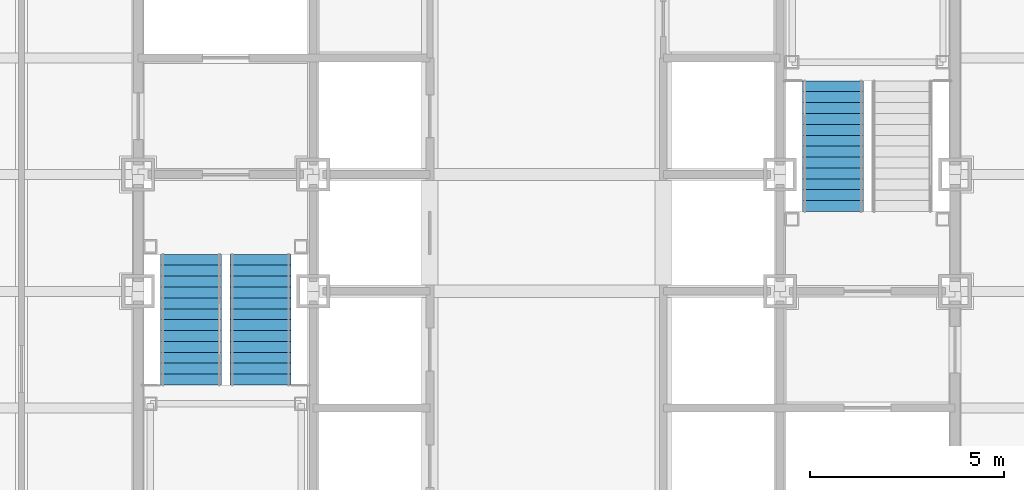
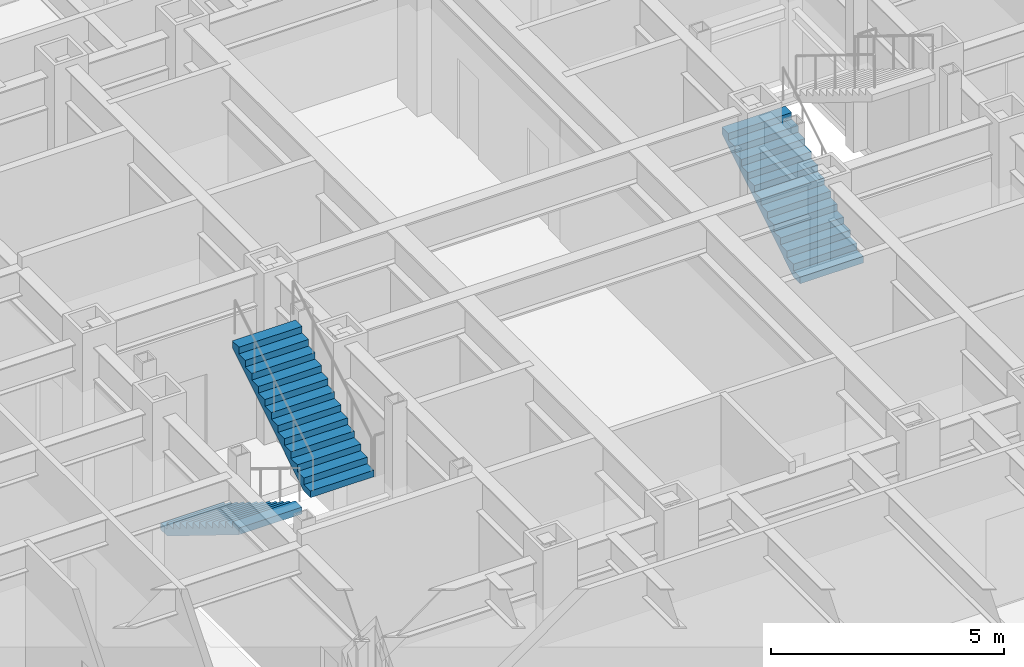
# One storey, part 12 of 16: 3 stair flights, 2 elements without a shape of their own.
"""IFC4 building model written with IfcOpenShell, lengths in metres."""

from ifc_helpers import new_model, si_unit, direction, frame, origin, place, context, subcontext, project, spatial, faceted_brep, material, type_object, element, aggregate, save


model = new_model("IFC4")

# Units and contexts
model_context = context("Model", 3, precision=1e-05, world=origin(), true_north=direction((0.0, 1.0)))
body_context = subcontext(model_context, "Body", "Model", "MODEL_VIEW")
ifc_project = project(units=[si_unit("LENGTHUNIT", "METRE"), si_unit("AREAUNIT", "SQUARE_METRE"), si_unit("VOLUMEUNIT", "CUBIC_METRE"), si_unit("PLANEANGLEUNIT", "RADIAN"), si_unit("MASSUNIT", "GRAM", prefix="KILO")], contexts=[model_context])

# Site, building, storey
site_placement = place(None, origin())
site = spatial("IfcSite", under=ifc_project, at=site_placement, CompositionType="ELEMENT")
building_placement = place(site_placement, origin())
building = spatial("IfcBuilding", under=site, at=building_placement, Name="Chuquiago Exchange Tower", CompositionType="ELEMENT")
storey_placement = place(building_placement, frame((0.0, 0.0, 78.300048828125)))
storey = spatial("IfcBuildingStorey", under=building, at=storey_placement, Name="L16", CompositionType="ELEMENT", Elevation=78.300048828125)

# Stair, stair flights
ifc_material_1 = material(Name="Concrete C30/37, precast", Category="concrete")
stair_type_1 = type_object("IfcStairType", Name="ST1 half-turn stair 4500", PredefinedType="HALF_TURN_STAIR", material=ifc_material_1)
stair_1_placement = place(storey_placement, origin())
stair_1 = element("IfcStair", 1, at=stair_1_placement, inside=storey, type_object=stair_type_1, Name="Stair ST1 L16", PredefinedType="HALF_TURN_STAIR")
ifc_material_2 = material(Name="Concrete C30/37, precast", Category="concrete")
stair_flight_type = type_object("IfcStairFlightType", Name="ST-F flight 1570 for 4500 storey", PredefinedType="STRAIGHT", material=ifc_material_2)
stair_flight_1_placement = place(storey_placement, frame((13.360107421875, 21.949951171875, 0.0), z_axis=(0.0, 0.0, 1.0), x_axis=(0.0, -1.0, 0.0)))
stair_flight_1 = element("IfcStairFlight", 2, at=stair_flight_1_placement, type_object=stair_flight_type, Name="ST1 flight 1", NumberOfRisers=13, NumberOfTreads=12, PredefinedType="STRAIGHT", RiserHeight=0.173076923, TreadLength=0.28, context=body_context, shape_type="Brep", body=[
    faceted_brep([(0.0, 0.78515625, 0.0), (0.0, 0.78515625, 0.173095703125), (0.280029296875, 0.78515625, 0.173095703125), (0.280029296875, 0.78515625, 0.34619140625), (0.56005859375, 0.78515625, 0.34619140625), (0.56005859375, 0.78515625, 0.519287109375), (0.840087890625, 0.78515625, 0.519287109375), (0.840087890625, 0.78515625, 0.6923828125), (1.1201171875, 0.78515625, 0.6923828125), (1.1201171875, 0.78515625, 0.865478515625), (1.39990234375, 0.78515625, 0.865478515625), (1.39990234375, 0.78515625, 1.03857421875), (1.679931640625, 0.78515625, 1.03857421875), (1.679931640625, 0.78515625, 1.21142578125), (1.9599609375, 0.78515625, 1.21142578125), (1.9599609375, 0.78515625, 1.384521484375), (2.239990234375, 0.78515625, 1.384521484375), (2.239990234375, 0.78515625, 1.5576171875), (2.52001953125, 0.78515625, 1.5576171875), (2.52001953125, 0.78515625, 1.730712890625), (2.800048828125, 0.78515625, 1.730712890625), (2.800048828125, 0.78515625, 1.90380859375), (3.080078125, 0.78515625, 1.90380859375), (3.080078125, 0.78515625, 2.076904296875), (3.360107421875, 0.78515625, 2.076904296875), (3.360107421875, 0.78515625, 1.900634765625), (0.28515625, 0.78515625, 0.0), (0.28515625, -0.78515625, 0.0), (3.360107421875, -0.78515625, 1.900634765625), (3.360107421875, -0.78515625, 2.076904296875), (3.080078125, -0.78515625, 2.076904296875), (3.080078125, -0.78515625, 1.90380859375), (2.800048828125, -0.78515625, 1.90380859375), (2.800048828125, -0.78515625, 1.730712890625), (2.52001953125, -0.78515625, 1.730712890625), (2.52001953125, -0.78515625, 1.5576171875), (2.239990234375, -0.78515625, 1.5576171875), (2.239990234375, -0.78515625, 1.384521484375), (1.9599609375, -0.78515625, 1.384521484375), (1.9599609375, -0.78515625, 1.21142578125), (1.679931640625, -0.78515625, 1.21142578125), (1.679931640625, -0.78515625, 1.03857421875), (1.39990234375, -0.78515625, 1.03857421875), (1.39990234375, -0.78515625, 0.865478515625), (1.1201171875, -0.78515625, 0.865478515625), (1.1201171875, -0.78515625, 0.6923828125), (0.840087890625, -0.78515625, 0.6923828125), (0.840087890625, -0.78515625, 0.519287109375), (0.56005859375, -0.78515625, 0.519287109375), (0.56005859375, -0.78515625, 0.34619140625), (0.280029296875, -0.78515625, 0.34619140625), (0.280029296875, -0.78515625, 0.173095703125), (0.0, -0.78515625, 0.173095703125), (0.0, -0.78515625, 0.0), (0.0, 0.392578125, 0.0), (0.0, 0.392578125, 0.173095703125), (0.0, 0.0, 0.0), (0.0, 0.0, 0.173095703125), (0.0, -0.392578125, 0.0), (0.0, -0.392578125, 0.173095703125), (0.280029296875, 0.392578125, 0.173095703125), (0.280029296875, 0.0, 0.173095703125), (0.280029296875, -0.392578125, 0.173095703125), (0.280029296875, 0.392578125, 0.34619140625), (0.280029296875, 0.0, 0.34619140625), (0.280029296875, -0.392578125, 0.34619140625), (0.56005859375, 0.392578125, 0.34619140625), (0.56005859375, 0.0, 0.34619140625), (0.56005859375, -0.392578125, 0.34619140625), (0.56005859375, 0.392578125, 0.519287109375), (0.56005859375, 0.0, 0.519287109375), (0.56005859375, -0.392578125, 0.519287109375), (0.840087890625, 0.392578125, 0.519287109375), (0.840087890625, 0.0, 0.519287109375), (0.840087890625, -0.392578125, 0.519287109375), (0.840087890625, 0.392578125, 0.6923828125), (0.840087890625, 0.0, 0.6923828125), (0.840087890625, -0.392578125, 0.6923828125), (1.1201171875, 0.392578125, 0.6923828125), (1.1201171875, 0.0, 0.6923828125), (1.1201171875, -0.392578125, 0.6923828125), (1.1201171875, 0.392578125, 0.865478515625), (1.1201171875, 0.0, 0.865478515625), (1.1201171875, -0.392578125, 0.865478515625), (1.39990234375, 0.392578125, 0.865478515625), (1.39990234375, 0.0, 0.865478515625), (1.39990234375, -0.392578125, 0.865478515625), (1.39990234375, 0.392578125, 1.03857421875), (1.39990234375, 0.0, 1.03857421875), (1.39990234375, -0.392578125, 1.03857421875), (1.679931640625, 0.392578125, 1.03857421875), (1.679931640625, 0.0, 1.03857421875), (1.679931640625, -0.392578125, 1.03857421875), (1.679931640625, 0.392578125, 1.21142578125), (1.679931640625, 0.0, 1.21142578125), (1.679931640625, -0.392578125, 1.21142578125), (1.9599609375, 0.392578125, 1.21142578125), (1.9599609375, 0.0, 1.21142578125), (1.9599609375, -0.392578125, 1.21142578125), (1.9599609375, 0.392578125, 1.384521484375), (1.9599609375, 0.0, 1.384521484375), (1.9599609375, -0.392578125, 1.384521484375), (2.239990234375, 0.392578125, 1.384521484375), (2.239990234375, 0.0, 1.384521484375), (2.239990234375, -0.392578125, 1.384521484375), (2.239990234375, 0.392578125, 1.5576171875), (2.239990234375, 0.0, 1.5576171875), (2.239990234375, -0.392578125, 1.5576171875), (2.52001953125, 0.392578125, 1.5576171875), (2.52001953125, 0.0, 1.5576171875), (2.52001953125, -0.392578125, 1.5576171875), (2.52001953125, 0.392578125, 1.730712890625), (2.52001953125, 0.0, 1.730712890625), (2.52001953125, -0.392578125, 1.730712890625), (2.800048828125, 0.392578125, 1.730712890625), (2.800048828125, 0.0, 1.730712890625), (2.800048828125, -0.392578125, 1.730712890625), (2.800048828125, 0.392578125, 1.90380859375), (2.800048828125, 0.0, 1.90380859375), (2.800048828125, -0.392578125, 1.90380859375), (3.080078125, 0.392578125, 1.90380859375), (3.080078125, 0.0, 1.90380859375), (3.080078125, -0.392578125, 1.90380859375), (3.080078125, 0.392578125, 2.076904296875), (3.080078125, 0.0, 2.076904296875), (3.080078125, -0.392578125, 2.076904296875), (3.360107421875, 0.392578125, 2.076904296875), (3.360107421875, 0.0, 2.076904296875), (3.360107421875, -0.392578125, 2.076904296875), (3.360107421875, 0.392578125, 1.900634765625), (3.360107421875, 0.0, 1.900634765625), (3.360107421875, -0.392578125, 1.900634765625), (0.28515625, 0.392578125, 0.0), (0.28515625, 0.0, 0.0), (0.28515625, -0.392578125, 0.0)], [[[0, 1, 2, 3, 4, 5, 6, 7, 8, 9, 10, 11, 12, 13, 14, 15, 16, 17, 18, 19, 20, 21, 22, 23, 24, 25, 26]], [[27, 28, 29, 30, 31, 32, 33, 34, 35, 36, 37, 38, 39, 40, 41, 42, 43, 44, 45, 46, 47, 48, 49, 50, 51, 52, 53]], [[1, 0, 54, 55]], [[55, 54, 56, 57]], [[57, 56, 58, 59]], [[59, 58, 53, 52]], [[2, 1, 55, 60]], [[60, 55, 57, 61]], [[61, 57, 59, 62]], [[62, 59, 52, 51]], [[3, 2, 60, 63]], [[63, 60, 61, 64]], [[64, 61, 62, 65]], [[65, 62, 51, 50]], [[4, 3, 63, 66]], [[66, 63, 64, 67]], [[67, 64, 65, 68]], [[68, 65, 50, 49]], [[5, 4, 66, 69]], [[69, 66, 67, 70]], [[70, 67, 68, 71]], [[71, 68, 49, 48]], [[6, 5, 69, 72]], [[72, 69, 70, 73]], [[73, 70, 71, 74]], [[74, 71, 48, 47]], [[7, 6, 72, 75]], [[75, 72, 73, 76]], [[76, 73, 74, 77]], [[77, 74, 47, 46]], [[8, 7, 75, 78]], [[78, 75, 76, 79]], [[79, 76, 77, 80]], [[80, 77, 46, 45]], [[9, 8, 78, 81]], [[81, 78, 79, 82]], [[82, 79, 80, 83]], [[83, 80, 45, 44]], [[10, 9, 81, 84]], [[84, 81, 82, 85]], [[85, 82, 83, 86]], [[86, 83, 44, 43]], [[11, 10, 84, 87]], [[87, 84, 85, 88]], [[88, 85, 86, 89]], [[89, 86, 43, 42]], [[12, 11, 87, 90]], [[90, 87, 88, 91]], [[91, 88, 89, 92]], [[92, 89, 42, 41]], [[13, 12, 90, 93]], [[93, 90, 91, 94]], [[94, 91, 92, 95]], [[95, 92, 41, 40]], [[14, 13, 93, 96]], [[96, 93, 94, 97]], [[97, 94, 95, 98]], [[98, 95, 40, 39]], [[15, 14, 96, 99]], [[99, 96, 97, 100]], [[100, 97, 98, 101]], [[101, 98, 39, 38]], [[16, 15, 99, 102]], [[102, 99, 100, 103]], [[103, 100, 101, 104]], [[104, 101, 38, 37]], [[17, 16, 102, 105]], [[105, 102, 103, 106]], [[106, 103, 104, 107]], [[107, 104, 37, 36]], [[18, 17, 105, 108]], [[108, 105, 106, 109]], [[109, 106, 107, 110]], [[110, 107, 36, 35]], [[19, 18, 108, 111]], [[111, 108, 109, 112]], [[112, 109, 110, 113]], [[113, 110, 35, 34]], [[20, 19, 111, 114]], [[114, 111, 112, 115]], [[115, 112, 113, 116]], [[116, 113, 34, 33]], [[21, 20, 114, 117]], [[117, 114, 115, 118]], [[118, 115, 116, 119]], [[119, 116, 33, 32]], [[22, 21, 117, 120]], [[120, 117, 118, 121]], [[121, 118, 119, 122]], [[122, 119, 32, 31]], [[23, 22, 120, 123]], [[123, 120, 121, 124]], [[124, 121, 122, 125]], [[125, 122, 31, 30]], [[24, 23, 123, 126]], [[126, 123, 124, 127]], [[127, 124, 125, 128]], [[128, 125, 30, 29]], [[25, 24, 126, 129]], [[129, 126, 127, 130]], [[130, 127, 128, 131]], [[131, 128, 29, 28]], [[26, 25, 129, 132]], [[132, 129, 130, 133]], [[133, 130, 131, 134]], [[134, 131, 28, 27]], [[0, 26, 132, 54]], [[54, 132, 133, 56]], [[56, 133, 134, 58]], [[58, 134, 27, 53]]]),
])
stair_flight_2_placement = place(storey_placement, frame((15.139892578125, 18.590087890625, 2.25), z_axis=(0.0, 0.0, 1.0), x_axis=(0.0, 1.0, 0.0)))
stair_flight_2 = element("IfcStairFlight", 3, at=stair_flight_2_placement, type_object=stair_flight_type, Name="ST1 flight 2", NumberOfRisers=13, NumberOfTreads=12, PredefinedType="STRAIGHT", RiserHeight=0.173076923, TreadLength=0.28, context=body_context, shape_type="Brep", body=[
    faceted_brep([(0.0, 0.78515625, 0.0), (0.0, 0.78515625, 0.173095703125), (0.280029296875, 0.78515625, 0.173095703125), (0.280029296875, 0.78515625, 0.34619140625), (0.56005859375, 0.78515625, 0.34619140625), (0.56005859375, 0.78515625, 0.519287109375), (0.840087890625, 0.78515625, 0.519287109375), (0.840087890625, 0.78515625, 0.6923828125), (1.1201171875, 0.78515625, 0.6923828125), (1.1201171875, 0.78515625, 0.865478515625), (1.39990234375, 0.78515625, 0.865478515625), (1.39990234375, 0.78515625, 1.03857421875), (1.679931640625, 0.78515625, 1.03857421875), (1.679931640625, 0.78515625, 1.21142578125), (1.9599609375, 0.78515625, 1.21142578125), (1.9599609375, 0.78515625, 1.384521484375), (2.239990234375, 0.78515625, 1.384521484375), (2.239990234375, 0.78515625, 1.5576171875), (2.52001953125, 0.78515625, 1.5576171875), (2.52001953125, 0.78515625, 1.730712890625), (2.800048828125, 0.78515625, 1.730712890625), (2.800048828125, 0.78515625, 1.90380859375), (3.080078125, 0.78515625, 1.90380859375), (3.080078125, 0.78515625, 2.076904296875), (3.360107421875, 0.78515625, 2.076904296875), (3.360107421875, 0.78515625, 1.900634765625), (0.28515625, 0.78515625, 0.0), (0.28515625, -0.78515625, 0.0), (3.360107421875, -0.78515625, 1.900634765625), (3.360107421875, -0.78515625, 2.076904296875), (3.080078125, -0.78515625, 2.076904296875), (3.080078125, -0.78515625, 1.90380859375), (2.800048828125, -0.78515625, 1.90380859375), (2.800048828125, -0.78515625, 1.730712890625), (2.52001953125, -0.78515625, 1.730712890625), (2.52001953125, -0.78515625, 1.5576171875), (2.239990234375, -0.78515625, 1.5576171875), (2.239990234375, -0.78515625, 1.384521484375), (1.9599609375, -0.78515625, 1.384521484375), (1.9599609375, -0.78515625, 1.21142578125), (1.679931640625, -0.78515625, 1.21142578125), (1.679931640625, -0.78515625, 1.03857421875), (1.39990234375, -0.78515625, 1.03857421875), (1.39990234375, -0.78515625, 0.865478515625), (1.1201171875, -0.78515625, 0.865478515625), (1.1201171875, -0.78515625, 0.6923828125), (0.840087890625, -0.78515625, 0.6923828125), (0.840087890625, -0.78515625, 0.519287109375), (0.56005859375, -0.78515625, 0.519287109375), (0.56005859375, -0.78515625, 0.34619140625), (0.280029296875, -0.78515625, 0.34619140625), (0.280029296875, -0.78515625, 0.173095703125), (0.0, -0.78515625, 0.173095703125), (0.0, -0.78515625, 0.0), (0.0, 0.392578125, 0.0), (0.0, 0.392578125, 0.173095703125), (0.0, 0.0, 0.0), (0.0, 0.0, 0.173095703125), (0.0, -0.392578125, 0.0), (0.0, -0.392578125, 0.173095703125), (0.280029296875, 0.392578125, 0.173095703125), (0.280029296875, 0.0, 0.173095703125), (0.280029296875, -0.392578125, 0.173095703125), (0.280029296875, 0.392578125, 0.34619140625), (0.280029296875, 0.0, 0.34619140625), (0.280029296875, -0.392578125, 0.34619140625), (0.56005859375, 0.392578125, 0.34619140625), (0.56005859375, 0.0, 0.34619140625), (0.56005859375, -0.392578125, 0.34619140625), (0.56005859375, 0.392578125, 0.519287109375), (0.56005859375, 0.0, 0.519287109375), (0.56005859375, -0.392578125, 0.519287109375), (0.840087890625, 0.392578125, 0.519287109375), (0.840087890625, 0.0, 0.519287109375), (0.840087890625, -0.392578125, 0.519287109375), (0.840087890625, 0.392578125, 0.6923828125), (0.840087890625, 0.0, 0.6923828125), (0.840087890625, -0.392578125, 0.6923828125), (1.1201171875, 0.392578125, 0.6923828125), (1.1201171875, 0.0, 0.6923828125), (1.1201171875, -0.392578125, 0.6923828125), (1.1201171875, 0.392578125, 0.865478515625), (1.1201171875, 0.0, 0.865478515625), (1.1201171875, -0.392578125, 0.865478515625), (1.39990234375, 0.392578125, 0.865478515625), (1.39990234375, 0.0, 0.865478515625), (1.39990234375, -0.392578125, 0.865478515625), (1.39990234375, 0.392578125, 1.03857421875), (1.39990234375, 0.0, 1.03857421875), (1.39990234375, -0.392578125, 1.03857421875), (1.679931640625, 0.392578125, 1.03857421875), (1.679931640625, 0.0, 1.03857421875), (1.679931640625, -0.392578125, 1.03857421875), (1.679931640625, 0.392578125, 1.21142578125), (1.679931640625, 0.0, 1.21142578125), (1.679931640625, -0.392578125, 1.21142578125), (1.9599609375, 0.392578125, 1.21142578125), (1.9599609375, 0.0, 1.21142578125), (1.9599609375, -0.392578125, 1.21142578125), (1.9599609375, 0.392578125, 1.384521484375), (1.9599609375, 0.0, 1.384521484375), (1.9599609375, -0.392578125, 1.384521484375), (2.239990234375, 0.392578125, 1.384521484375), (2.239990234375, 0.0, 1.384521484375), (2.239990234375, -0.392578125, 1.384521484375), (2.239990234375, 0.392578125, 1.5576171875), (2.239990234375, 0.0, 1.5576171875), (2.239990234375, -0.392578125, 1.5576171875), (2.52001953125, 0.392578125, 1.5576171875), (2.52001953125, 0.0, 1.5576171875), (2.52001953125, -0.392578125, 1.5576171875), (2.52001953125, 0.392578125, 1.730712890625), (2.52001953125, 0.0, 1.730712890625), (2.52001953125, -0.392578125, 1.730712890625), (2.800048828125, 0.392578125, 1.730712890625), (2.800048828125, 0.0, 1.730712890625), (2.800048828125, -0.392578125, 1.730712890625), (2.800048828125, 0.392578125, 1.90380859375), (2.800048828125, 0.0, 1.90380859375), (2.800048828125, -0.392578125, 1.90380859375), (3.080078125, 0.392578125, 1.90380859375), (3.080078125, 0.0, 1.90380859375), (3.080078125, -0.392578125, 1.90380859375), (3.080078125, 0.392578125, 2.076904296875), (3.080078125, 0.0, 2.076904296875), (3.080078125, -0.392578125, 2.076904296875), (3.360107421875, 0.392578125, 2.076904296875), (3.360107421875, 0.0, 2.076904296875), (3.360107421875, -0.392578125, 2.076904296875), (3.360107421875, 0.392578125, 1.900634765625), (3.360107421875, 0.0, 1.900634765625), (3.360107421875, -0.392578125, 1.900634765625), (0.28515625, 0.392578125, 0.0), (0.28515625, 0.0, 0.0), (0.28515625, -0.392578125, 0.0)], [[[0, 1, 2, 3, 4, 5, 6, 7, 8, 9, 10, 11, 12, 13, 14, 15, 16, 17, 18, 19, 20, 21, 22, 23, 24, 25, 26]], [[27, 28, 29, 30, 31, 32, 33, 34, 35, 36, 37, 38, 39, 40, 41, 42, 43, 44, 45, 46, 47, 48, 49, 50, 51, 52, 53]], [[1, 0, 54, 55]], [[55, 54, 56, 57]], [[57, 56, 58, 59]], [[59, 58, 53, 52]], [[2, 1, 55, 60]], [[60, 55, 57, 61]], [[61, 57, 59, 62]], [[62, 59, 52, 51]], [[3, 2, 60, 63]], [[63, 60, 61, 64]], [[64, 61, 62, 65]], [[65, 62, 51, 50]], [[4, 3, 63, 66]], [[66, 63, 64, 67]], [[67, 64, 65, 68]], [[68, 65, 50, 49]], [[5, 4, 66, 69]], [[69, 66, 67, 70]], [[70, 67, 68, 71]], [[71, 68, 49, 48]], [[6, 5, 69, 72]], [[72, 69, 70, 73]], [[73, 70, 71, 74]], [[74, 71, 48, 47]], [[7, 6, 72, 75]], [[75, 72, 73, 76]], [[76, 73, 74, 77]], [[77, 74, 47, 46]], [[8, 7, 75, 78]], [[78, 75, 76, 79]], [[79, 76, 77, 80]], [[80, 77, 46, 45]], [[9, 8, 78, 81]], [[81, 78, 79, 82]], [[82, 79, 80, 83]], [[83, 80, 45, 44]], [[10, 9, 81, 84]], [[84, 81, 82, 85]], [[85, 82, 83, 86]], [[86, 83, 44, 43]], [[11, 10, 84, 87]], [[87, 84, 85, 88]], [[88, 85, 86, 89]], [[89, 86, 43, 42]], [[12, 11, 87, 90]], [[90, 87, 88, 91]], [[91, 88, 89, 92]], [[92, 89, 42, 41]], [[13, 12, 90, 93]], [[93, 90, 91, 94]], [[94, 91, 92, 95]], [[95, 92, 41, 40]], [[14, 13, 93, 96]], [[96, 93, 94, 97]], [[97, 94, 95, 98]], [[98, 95, 40, 39]], [[15, 14, 96, 99]], [[99, 96, 97, 100]], [[100, 97, 98, 101]], [[101, 98, 39, 38]], [[16, 15, 99, 102]], [[102, 99, 100, 103]], [[103, 100, 101, 104]], [[104, 101, 38, 37]], [[17, 16, 102, 105]], [[105, 102, 103, 106]], [[106, 103, 104, 107]], [[107, 104, 37, 36]], [[18, 17, 105, 108]], [[108, 105, 106, 109]], [[109, 106, 107, 110]], [[110, 107, 36, 35]], [[19, 18, 108, 111]], [[111, 108, 109, 112]], [[112, 109, 110, 113]], [[113, 110, 35, 34]], [[20, 19, 111, 114]], [[114, 111, 112, 115]], [[115, 112, 113, 116]], [[116, 113, 34, 33]], [[21, 20, 114, 117]], [[117, 114, 115, 118]], [[118, 115, 116, 119]], [[119, 116, 33, 32]], [[22, 21, 117, 120]], [[120, 117, 118, 121]], [[121, 118, 119, 122]], [[122, 119, 32, 31]], [[23, 22, 120, 123]], [[123, 120, 121, 124]], [[124, 121, 122, 125]], [[125, 122, 31, 30]], [[24, 23, 123, 126]], [[126, 123, 124, 127]], [[127, 124, 125, 128]], [[128, 125, 30, 29]], [[25, 24, 126, 129]], [[129, 126, 127, 130]], [[130, 127, 128, 131]], [[131, 128, 29, 28]], [[26, 25, 129, 132]], [[132, 129, 130, 133]], [[133, 130, 131, 134]], [[134, 131, 28, 27]], [[0, 26, 132, 54]], [[54, 132, 133, 56]], [[56, 133, 134, 58]], [[58, 134, 27, 53]]]),
])
aggregate(stair_1, [stair_flight_1, stair_flight_2])

# Stair, stair flight
ifc_material_3 = material(Name="Concrete C30/37, precast", Category="concrete")
stair_type_2 = type_object("IfcStairType", Name="ST2 half-turn stair 4500", PredefinedType="HALF_TURN_STAIR", material=ifc_material_3)
stair_2_placement = place(storey_placement, origin())
stair_2 = element("IfcStair", 4, at=stair_2_placement, inside=storey, type_object=stair_type_2, Name="Stair ST2 L16", PredefinedType="HALF_TURN_STAIR")
stair_flight_3_placement = place(storey_placement, frame((29.860107421875, 23.050048828125, 0.0), z_axis=(0.0, 0.0, 1.0), x_axis=(0.0, 1.0, 0.0)))
stair_flight_3 = element("IfcStairFlight", 5, at=stair_flight_3_placement, type_object=stair_flight_type, Name="ST2 flight 1", NumberOfRisers=13, NumberOfTreads=12, PredefinedType="STRAIGHT", RiserHeight=0.173076923, TreadLength=0.28, context=body_context, shape_type="Brep", body=[
    faceted_brep([(0.0, 0.78515625, 0.0), (0.0, 0.78515625, 0.173095703125), (0.280029296875, 0.78515625, 0.173095703125), (0.280029296875, 0.78515625, 0.34619140625), (0.56005859375, 0.78515625, 0.34619140625), (0.56005859375, 0.78515625, 0.519287109375), (0.840087890625, 0.78515625, 0.519287109375), (0.840087890625, 0.78515625, 0.6923828125), (1.1201171875, 0.78515625, 0.6923828125), (1.1201171875, 0.78515625, 0.865478515625), (1.39990234375, 0.78515625, 0.865478515625), (1.39990234375, 0.78515625, 1.03857421875), (1.679931640625, 0.78515625, 1.03857421875), (1.679931640625, 0.78515625, 1.21142578125), (1.9599609375, 0.78515625, 1.21142578125), (1.9599609375, 0.78515625, 1.384521484375), (2.239990234375, 0.78515625, 1.384521484375), (2.239990234375, 0.78515625, 1.5576171875), (2.52001953125, 0.78515625, 1.5576171875), (2.52001953125, 0.78515625, 1.730712890625), (2.800048828125, 0.78515625, 1.730712890625), (2.800048828125, 0.78515625, 1.90380859375), (3.080078125, 0.78515625, 1.90380859375), (3.080078125, 0.78515625, 2.076904296875), (3.360107421875, 0.78515625, 2.076904296875), (3.360107421875, 0.78515625, 1.900634765625), (0.28515625, 0.78515625, 0.0), (0.28515625, -0.78515625, 0.0), (3.360107421875, -0.78515625, 1.900634765625), (3.360107421875, -0.78515625, 2.076904296875), (3.080078125, -0.78515625, 2.076904296875), (3.080078125, -0.78515625, 1.90380859375), (2.800048828125, -0.78515625, 1.90380859375), (2.800048828125, -0.78515625, 1.730712890625), (2.52001953125, -0.78515625, 1.730712890625), (2.52001953125, -0.78515625, 1.5576171875), (2.239990234375, -0.78515625, 1.5576171875), (2.239990234375, -0.78515625, 1.384521484375), (1.9599609375, -0.78515625, 1.384521484375), (1.9599609375, -0.78515625, 1.21142578125), (1.679931640625, -0.78515625, 1.21142578125), (1.679931640625, -0.78515625, 1.03857421875), (1.39990234375, -0.78515625, 1.03857421875), (1.39990234375, -0.78515625, 0.865478515625), (1.1201171875, -0.78515625, 0.865478515625), (1.1201171875, -0.78515625, 0.6923828125), (0.840087890625, -0.78515625, 0.6923828125), (0.840087890625, -0.78515625, 0.519287109375), (0.56005859375, -0.78515625, 0.519287109375), (0.56005859375, -0.78515625, 0.34619140625), (0.280029296875, -0.78515625, 0.34619140625), (0.280029296875, -0.78515625, 0.173095703125), (0.0, -0.78515625, 0.173095703125), (0.0, -0.78515625, 0.0), (0.0, 0.392578125, 0.0), (0.0, 0.392578125, 0.173095703125), (0.0, 0.0, 0.0), (0.0, 0.0, 0.173095703125), (0.0, -0.392578125, 0.0), (0.0, -0.392578125, 0.173095703125), (0.280029296875, 0.392578125, 0.173095703125), (0.280029296875, 0.0, 0.173095703125), (0.280029296875, -0.392578125, 0.173095703125), (0.280029296875, 0.392578125, 0.34619140625), (0.280029296875, 0.0, 0.34619140625), (0.280029296875, -0.392578125, 0.34619140625), (0.56005859375, 0.392578125, 0.34619140625), (0.56005859375, 0.0, 0.34619140625), (0.56005859375, -0.392578125, 0.34619140625), (0.56005859375, 0.392578125, 0.519287109375), (0.56005859375, 0.0, 0.519287109375), (0.56005859375, -0.392578125, 0.519287109375), (0.840087890625, 0.392578125, 0.519287109375), (0.840087890625, 0.0, 0.519287109375), (0.840087890625, -0.392578125, 0.519287109375), (0.840087890625, 0.392578125, 0.6923828125), (0.840087890625, 0.0, 0.6923828125), (0.840087890625, -0.392578125, 0.6923828125), (1.1201171875, 0.392578125, 0.6923828125), (1.1201171875, 0.0, 0.6923828125), (1.1201171875, -0.392578125, 0.6923828125), (1.1201171875, 0.392578125, 0.865478515625), (1.1201171875, 0.0, 0.865478515625), (1.1201171875, -0.392578125, 0.865478515625), (1.39990234375, 0.392578125, 0.865478515625), (1.39990234375, 0.0, 0.865478515625), (1.39990234375, -0.392578125, 0.865478515625), (1.39990234375, 0.392578125, 1.03857421875), (1.39990234375, 0.0, 1.03857421875), (1.39990234375, -0.392578125, 1.03857421875), (1.679931640625, 0.392578125, 1.03857421875), (1.679931640625, 0.0, 1.03857421875), (1.679931640625, -0.392578125, 1.03857421875), (1.679931640625, 0.392578125, 1.21142578125), (1.679931640625, 0.0, 1.21142578125), (1.679931640625, -0.392578125, 1.21142578125), (1.9599609375, 0.392578125, 1.21142578125), (1.9599609375, 0.0, 1.21142578125), (1.9599609375, -0.392578125, 1.21142578125), (1.9599609375, 0.392578125, 1.384521484375), (1.9599609375, 0.0, 1.384521484375), (1.9599609375, -0.392578125, 1.384521484375), (2.239990234375, 0.392578125, 1.384521484375), (2.239990234375, 0.0, 1.384521484375), (2.239990234375, -0.392578125, 1.384521484375), (2.239990234375, 0.392578125, 1.5576171875), (2.239990234375, 0.0, 1.5576171875), (2.239990234375, -0.392578125, 1.5576171875), (2.52001953125, 0.392578125, 1.5576171875), (2.52001953125, 0.0, 1.5576171875), (2.52001953125, -0.392578125, 1.5576171875), (2.52001953125, 0.392578125, 1.730712890625), (2.52001953125, 0.0, 1.730712890625), (2.52001953125, -0.392578125, 1.730712890625), (2.800048828125, 0.392578125, 1.730712890625), (2.800048828125, 0.0, 1.730712890625), (2.800048828125, -0.392578125, 1.730712890625), (2.800048828125, 0.392578125, 1.90380859375), (2.800048828125, 0.0, 1.90380859375), (2.800048828125, -0.392578125, 1.90380859375), (3.080078125, 0.392578125, 1.90380859375), (3.080078125, 0.0, 1.90380859375), (3.080078125, -0.392578125, 1.90380859375), (3.080078125, 0.392578125, 2.076904296875), (3.080078125, 0.0, 2.076904296875), (3.080078125, -0.392578125, 2.076904296875), (3.360107421875, 0.392578125, 2.076904296875), (3.360107421875, 0.0, 2.076904296875), (3.360107421875, -0.392578125, 2.076904296875), (3.360107421875, 0.392578125, 1.900634765625), (3.360107421875, 0.0, 1.900634765625), (3.360107421875, -0.392578125, 1.900634765625), (0.28515625, 0.392578125, 0.0), (0.28515625, 0.0, 0.0), (0.28515625, -0.392578125, 0.0)], [[[0, 1, 2, 3, 4, 5, 6, 7, 8, 9, 10, 11, 12, 13, 14, 15, 16, 17, 18, 19, 20, 21, 22, 23, 24, 25, 26]], [[27, 28, 29, 30, 31, 32, 33, 34, 35, 36, 37, 38, 39, 40, 41, 42, 43, 44, 45, 46, 47, 48, 49, 50, 51, 52, 53]], [[1, 0, 54, 55]], [[55, 54, 56, 57]], [[57, 56, 58, 59]], [[59, 58, 53, 52]], [[2, 1, 55, 60]], [[60, 55, 57, 61]], [[61, 57, 59, 62]], [[62, 59, 52, 51]], [[3, 2, 60, 63]], [[63, 60, 61, 64]], [[64, 61, 62, 65]], [[65, 62, 51, 50]], [[4, 3, 63, 66]], [[66, 63, 64, 67]], [[67, 64, 65, 68]], [[68, 65, 50, 49]], [[5, 4, 66, 69]], [[69, 66, 67, 70]], [[70, 67, 68, 71]], [[71, 68, 49, 48]], [[6, 5, 69, 72]], [[72, 69, 70, 73]], [[73, 70, 71, 74]], [[74, 71, 48, 47]], [[7, 6, 72, 75]], [[75, 72, 73, 76]], [[76, 73, 74, 77]], [[77, 74, 47, 46]], [[8, 7, 75, 78]], [[78, 75, 76, 79]], [[79, 76, 77, 80]], [[80, 77, 46, 45]], [[9, 8, 78, 81]], [[81, 78, 79, 82]], [[82, 79, 80, 83]], [[83, 80, 45, 44]], [[10, 9, 81, 84]], [[84, 81, 82, 85]], [[85, 82, 83, 86]], [[86, 83, 44, 43]], [[11, 10, 84, 87]], [[87, 84, 85, 88]], [[88, 85, 86, 89]], [[89, 86, 43, 42]], [[12, 11, 87, 90]], [[90, 87, 88, 91]], [[91, 88, 89, 92]], [[92, 89, 42, 41]], [[13, 12, 90, 93]], [[93, 90, 91, 94]], [[94, 91, 92, 95]], [[95, 92, 41, 40]], [[14, 13, 93, 96]], [[96, 93, 94, 97]], [[97, 94, 95, 98]], [[98, 95, 40, 39]], [[15, 14, 96, 99]], [[99, 96, 97, 100]], [[100, 97, 98, 101]], [[101, 98, 39, 38]], [[16, 15, 99, 102]], [[102, 99, 100, 103]], [[103, 100, 101, 104]], [[104, 101, 38, 37]], [[17, 16, 102, 105]], [[105, 102, 103, 106]], [[106, 103, 104, 107]], [[107, 104, 37, 36]], [[18, 17, 105, 108]], [[108, 105, 106, 109]], [[109, 106, 107, 110]], [[110, 107, 36, 35]], [[19, 18, 108, 111]], [[111, 108, 109, 112]], [[112, 109, 110, 113]], [[113, 110, 35, 34]], [[20, 19, 111, 114]], [[114, 111, 112, 115]], [[115, 112, 113, 116]], [[116, 113, 34, 33]], [[21, 20, 114, 117]], [[117, 114, 115, 118]], [[118, 115, 116, 119]], [[119, 116, 33, 32]], [[22, 21, 117, 120]], [[120, 117, 118, 121]], [[121, 118, 119, 122]], [[122, 119, 32, 31]], [[23, 22, 120, 123]], [[123, 120, 121, 124]], [[124, 121, 122, 125]], [[125, 122, 31, 30]], [[24, 23, 123, 126]], [[126, 123, 124, 127]], [[127, 124, 125, 128]], [[128, 125, 30, 29]], [[25, 24, 126, 129]], [[129, 126, 127, 130]], [[130, 127, 128, 131]], [[131, 128, 29, 28]], [[26, 25, 129, 132]], [[132, 129, 130, 133]], [[133, 130, 131, 134]], [[134, 131, 28, 27]], [[0, 26, 132, 54]], [[54, 132, 133, 56]], [[56, 133, 134, 58]], [[58, 134, 27, 53]]]),
])
aggregate(stair_2, [stair_flight_3])

save(model, "model.ifc")
